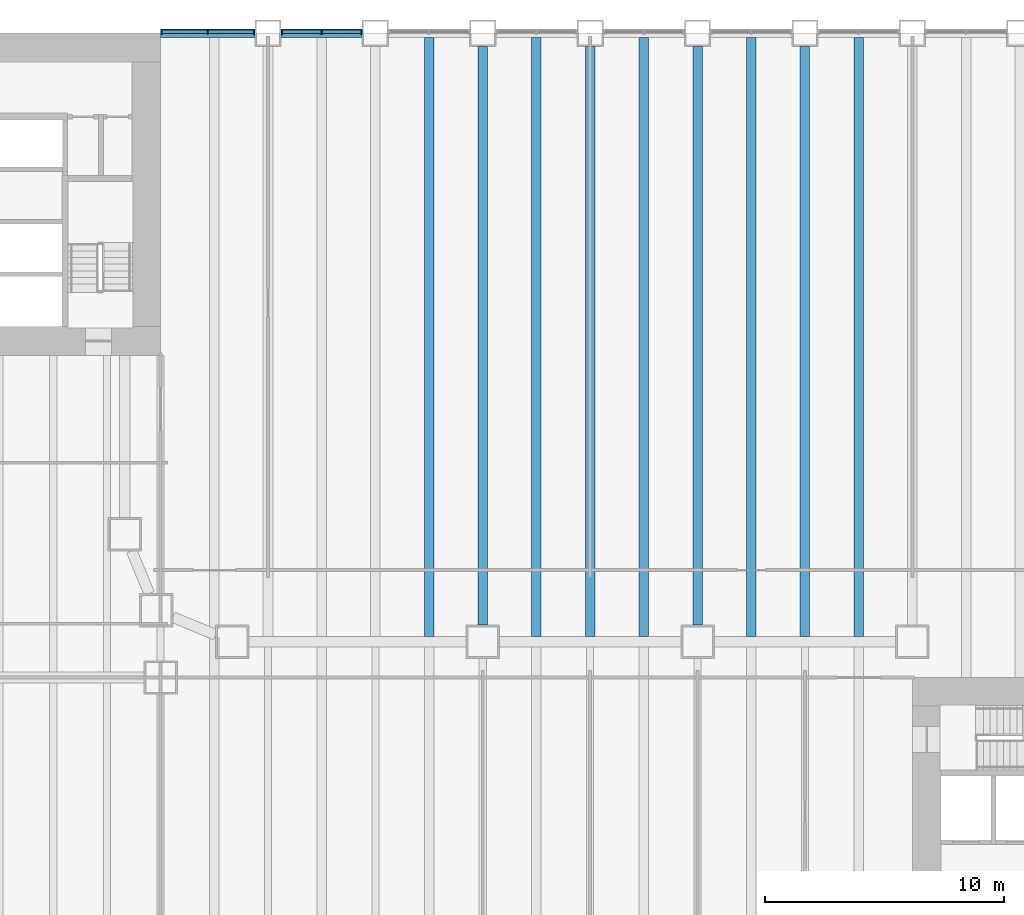
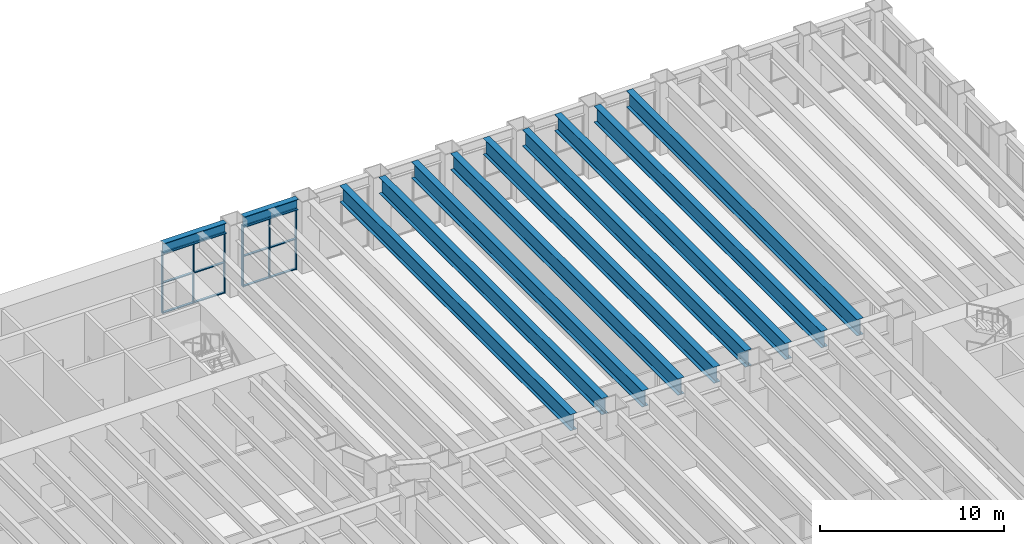
# One storey, part 2 of 19: 18 members, 11 beams, 2 elements without a shape of their own.
"""IFC4 building model written with IfcOpenShell, lengths in metres."""

import ifcopenshell
import ifcopenshell.guid

model = None  # the IFC model being written
_history = None  # IfcOwnerHistory: only IFC2X3 demands one
_inside = {}  # id of a spatial element -> (the spatial element, [elements in it])
_under = {}  # id of a project, library or spatial element -> (it, [spatial elements below it])
_declared = {}  # id of a project -> (the project, [libraries it declares])
_typed = {}  # id of a type object -> (the type object, [elements of that type])
_made_of = {}  # id of a material, layer set ... -> (it, [elements and type objects made of it])


def new_model(schema):
    """Start an empty IFC model of exactly this schema.

    Asked for "IFC4X3", IfcOpenShell would pick the latest addendum, in which some entities
    have other attributes; the version numbers below select the first issue.
    IFC2X3 requires an IfcOwnerHistory on every rooted entity: one is made here for all.
    """
    global model, _history
    if schema == "IFC4X3":
        model = ifcopenshell.file(schema_version=(4, 3, 0, 0))
    else:
        model = ifcopenshell.file(schema=schema)
    _inside.clear()
    _under.clear()
    _declared.clear()
    _typed.clear()
    _made_of.clear()
    _history = None
    if model.schema == "IFC2X3":
        org = make("IfcOrganization", Name="unknown")
        user = make(
            "IfcPersonAndOrganization",
            ThePerson=make("IfcPerson", FamilyName="unknown"),
            TheOrganization=org,
        )
        app = make(
            "IfcApplication",
            ApplicationDeveloper=org,
            Version="unknown",
            ApplicationFullName="unknown",
            ApplicationIdentifier="unknown",
        )
        _history = make(
            "IfcOwnerHistory",
            OwningUser=user,
            OwningApplication=app,
            ChangeAction="ADDED",
            CreationDate=0,
        )
    return model


def make(cls, **values):
    """One entity of the class cls with the attributes given. An attribute that is None is left unset."""
    return model.create_entity(
        cls, **{name: value for name, value in values.items() if value is not None}
    )


def rooted(cls, **values):
    """An entity with a GlobalId (a new one), such as an element, a storey or a relation."""
    return make(cls, GlobalId=ifcopenshell.guid.new(), OwnerHistory=_history, **values)


def si_unit(unit_type, name, prefix=None):
    """IfcSIUnit, for example si_unit("LENGTHUNIT", "METRE", prefix="MILLI")."""
    return make("IfcSIUnit", UnitType=unit_type, Prefix=prefix, Name=name)


def assignment(units):
    """IfcUnitAssignment: the units of a project."""
    return None if units is None else make("IfcUnitAssignment", Units=units)


def point(xyz):
    """IfcCartesianPoint."""
    return None if xyz is None else make("IfcCartesianPoint", Coordinates=xyz)


def direction(xyz):
    """IfcDirection."""
    return None if xyz is None else make("IfcDirection", DirectionRatios=xyz)


def frame(location, z_axis=None, x_axis=None):
    """IfcAxis2Placement3D, a coordinate frame: its origin and axes. An axis left out is left unset."""
    return make(
        "IfcAxis2Placement3D",
        Location=point(location),
        Axis=direction(z_axis),
        RefDirection=direction(x_axis),
    )


def frame_2d(location, x_axis=None):
    """IfcAxis2Placement2D, a coordinate frame in the plane: its origin and x axis."""
    return make(
        "IfcAxis2Placement2D", Location=point(location), RefDirection=direction(x_axis)
    )


def origin():
    """The frame at (0, 0, 0) with its axes left unset."""
    return frame((0.0, 0.0, 0.0))


def origin_2d():
    """The frame at (0, 0) in the plane with its x axis left unset."""
    return frame_2d((0.0, 0.0))


def place(relative_to, where):
    """IfcLocalPlacement: puts the frame where relative to a parent placement (None: the world)."""
    return make(
        "IfcLocalPlacement", PlacementRelTo=relative_to, RelativePlacement=where
    )


def context(
    kind, dimensions, precision=None, world=None, true_north=None, identifier=None
):
    """IfcGeometricRepresentationContext, for example the 3D "Model" context."""
    return make(
        "IfcGeometricRepresentationContext",
        ContextIdentifier=identifier,
        ContextType=kind,
        CoordinateSpaceDimension=dimensions,
        Precision=precision,
        WorldCoordinateSystem=world,
        TrueNorth=true_north,
    )


def subcontext(parent, identifier, kind, view, scale=None):
    """IfcGeometricRepresentationSubContext, for example "Body" below "Model"."""
    return make(
        "IfcGeometricRepresentationSubContext",
        ContextIdentifier=identifier,
        ContextType=kind,
        ParentContext=parent,
        TargetScale=scale,
        TargetView=view,
    )


def project(units=None, contexts=None):
    """IfcProject with its units and contexts."""
    return rooted(
        "IfcProject",
        Name="project",
        RepresentationContexts=contexts,
        UnitsInContext=assignment(units),
    )


def spatial(cls, under=None, at=None, **own):
    """A site, building, storey or space (cls), placed at a placement, below another one or the project."""
    s = rooted(cls, ObjectPlacement=at, **own)
    if under is not None:
        _under.setdefault(under.id(), (under, []))[1].append(s)
    return s


def profile(cls, at=None, kind="AREA", **sizes):
    """A parametric profile (cls). Its sizes go by their IFC names, for example OverallWidth=200.0."""
    return make(cls, ProfileType=kind, Position=at, **sizes)


def rectangle(**sizes):
    """IfcRectangleProfileDef."""
    return profile("IfcRectangleProfileDef", **sizes)


def i_section(**sizes):
    """IfcIShapeProfileDef."""
    return profile("IfcIShapeProfileDef", **sizes)


def extrude(swept, where, along, depth):
    """IfcExtrudedAreaSolid: the profile swept, set in the frame where, extruded along a direction by depth."""
    return make(
        "IfcExtrudedAreaSolid",
        SweptArea=swept,
        Position=where,
        ExtrudedDirection=direction(along),
        Depth=depth,
    )


def shape(context_of_items, identifier, shape_type, items):
    """IfcShapeRepresentation: the items that make up one representation, for example the "Body"."""
    return make(
        "IfcShapeRepresentation",
        ContextOfItems=context_of_items,
        RepresentationIdentifier=identifier,
        RepresentationType=shape_type,
        Items=items,
    )


def material(Name=None, Category=None):
    """IfcMaterial."""
    return make("IfcMaterial", Name=Name, Category=Category)


def material_profile(
    of_material, cross_section, Name=None, Category=None, Priority=None
):
    """IfcMaterialProfile: a cross section and its material."""
    return make(
        "IfcMaterialProfile",
        Name=Name,
        Material=of_material,
        Profile=cross_section,
        Priority=Priority,
        Category=Category,
    )


def profile_set(profiles, Name=None, composite=None):
    """IfcMaterialProfileSet."""
    return make(
        "IfcMaterialProfileSet",
        Name=Name,
        MaterialProfiles=profiles,
        CompositeProfile=composite,
    )


def made_of(thing, what):
    """Note that an element or type object is made of a material, layer set ...; save() writes the relation."""
    if what is not None:
        _made_of.setdefault(what.id(), (what, []))[1].append(thing)
    return thing


def type_object(cls, material=None, **own):
    """A type object (cls), such as IfcWallType, which elements share."""
    return made_of(rooted(cls, **own), material)


def element(
    cls,
    number,
    at=None,
    inside=None,
    cuts=None,
    type_object=None,
    material=None,
    context=None,
    identifier="Body",
    shape_type=None,
    held_by="IfcProductDefinitionShape",
    body=None,
    shapes=None,
    **own,
):
    """One element of the class cls, such as IfcWall. Its Tag is "e" and its number.

    at: its placement. inside: the storey or other place that contains it. cuts: it is an
    opening in that element (IfcRelVoidsElement). A single representation is given by context,
    identifier, shape_type and body (its items); several are given by shapes. held_by: the class
    of the entity that holds the representations. save() writes the other relations.
    """
    e = rooted(cls, Tag="e%d" % number, ObjectPlacement=at, **own)
    if body is not None:
        shapes = [shape(context, identifier, shape_type, body)]
    if shapes is not None:
        e.Representation = make(held_by, Representations=shapes)
    if inside is not None:
        _inside.setdefault(inside.id(), (inside, []))[1].append(e)
    if cuts is not None:
        rooted(
            "IfcRelVoidsElement", RelatingBuildingElement=cuts, RelatedOpeningElement=e
        )
    if type_object is not None:
        _typed.setdefault(type_object.id(), (type_object, []))[1].append(e)
    return made_of(e, material)


def aggregate(whole, parts):
    """IfcRelAggregates: a whole, such as a stair, and the parts it consists of."""
    return rooted("IfcRelAggregates", RelatingObject=whole, RelatedObjects=parts)


def save(model, path):
    """Write the relations noted so far, then the file.

    IfcRelAggregates (storeys below a building ...), IfcRelContainedInSpatialStructure (elements
    in a storey), IfcRelDefinesByType, IfcRelAssociatesMaterial and IfcRelDeclares: one each for
    every whole, place, type object, material and project.
    """
    for whole, parts in _under.values():
        aggregate(whole, parts)
    for where, things in _inside.values():
        rooted(
            "IfcRelContainedInSpatialStructure",
            RelatedElements=things,
            RelatingStructure=where,
        )
    for kind, things in _typed.values():
        rooted("IfcRelDefinesByType", RelatedObjects=things, RelatingType=kind)
    for what, things in _made_of.values():
        rooted("IfcRelAssociatesMaterial", RelatedObjects=things, RelatingMaterial=what)
    for by, libraries in _declared.values():
        rooted("IfcRelDeclares", RelatingContext=by, RelatedDefinitions=libraries)
    model.write(path)


model = new_model("IFC4")

# Units and contexts
model_context = context("Model", 3, precision=1e-05, world=origin(), true_north=direction((0.0, 1.0)))
body_context = subcontext(model_context, "Body", "Model", "MODEL_VIEW")
ifc_project = project(units=[si_unit("LENGTHUNIT", "METRE"), si_unit("AREAUNIT", "SQUARE_METRE"), si_unit("VOLUMEUNIT", "CUBIC_METRE"), si_unit("PLANEANGLEUNIT", "RADIAN"), si_unit("MASSUNIT", "GRAM", prefix="KILO")], contexts=[model_context])

# Site, building, storey
site_placement = place(None, origin())
site = spatial("IfcSite", under=ifc_project, at=site_placement, CompositionType="ELEMENT")
building_placement = place(site_placement, origin())
building = spatial("IfcBuilding", under=site, at=building_placement, Name="Sennacour Bend Tower", CompositionType="ELEMENT")
storey_placement = place(building_placement, frame((0.0, 0.0, 19.0)))
storey = spatial("IfcBuildingStorey", under=building, at=storey_placement, Name="L03", CompositionType="ELEMENT", Elevation=19.0)

# Curtain wall, members
ifc_material_1 = material(Name="Bronze anodised aluminium curtain wall with clear glass", Category="aluminium")
curtain_wall_type = type_object("IfcCurtainWallType", Name="CURTAIN WALL NOTCH", PredefinedType="NOTDEFINED", material=ifc_material_1)
curtain_wall_1_placement = place(storey_placement, origin())
curtain_wall_1 = element("IfcCurtainWall", 1, at=curtain_wall_1_placement, inside=storey, type_object=curtain_wall_type, Name="Podium glass wall L03", PredefinedType="NOTDEFINED")
ifc_material_2 = material(Name="Aluminium 6063-T6", Category="aluminium")
ifc_material_profile_1 = material_profile(ifc_material_2, rectangle(XDim=0.199951171875, YDim=0.06005859375, at=origin_2d()), Name="Aluminium 6063-T6", Category="aluminium")
ifc_profile_set_1 = profile_set([ifc_material_profile_1], Name="Aluminium 6063-T6")
member_type_1 = type_object("IfcMemberType", Name="CW-MULLION-200X60", PredefinedType="MULLION", material=ifc_profile_set_1)
member_1_placement = place(storey_placement, frame((30.919921875, 49.550048828125, 0.0), z_axis=(0.0, 0.0, 1.0), x_axis=(0.0, -1.0, 0.0)))
member_1 = element("IfcMember", 2, at=member_1_placement, type_object=member_type_1, Name="GW2 curtain wall mullion 1", PredefinedType="MULLION", context=body_context, shape_type="SweptSolid", body=[
    extrude(rectangle(XDim=0.199951171875, YDim=0.06005859375, at=origin_2d()), origin(), (0.0, 0.0, 1.0), 4.035888671875),
])
member_2_placement = place(storey_placement, frame((29.25, 49.550048828125, 0.0), z_axis=(0.0, 0.0, 1.0), x_axis=(0.0, -1.0, 0.0)))
member_2 = element("IfcMember", 3, at=member_2_placement, type_object=member_type_1, Name="GW2 curtain wall mullion 2", PredefinedType="MULLION", context=body_context, shape_type="SweptSolid", body=[
    extrude(rectangle(XDim=0.199951171875, YDim=0.06005859375, at=origin_2d()), origin(), (0.0, 0.0, 1.0), 4.035888671875),
])
member_3_placement = place(storey_placement, frame((27.580078125, 49.550048828125, 0.0), z_axis=(0.0, 0.0, 1.0), x_axis=(0.0, -1.0, 0.0)))
member_3 = element("IfcMember", 4, at=member_3_placement, type_object=member_type_1, Name="GW2 curtain wall mullion 3", PredefinedType="MULLION", context=body_context, shape_type="SweptSolid", body=[
    extrude(rectangle(XDim=0.199951171875, YDim=0.06005859375, at=origin_2d()), origin(), (0.0, 0.0, 1.0), 4.035888671875),
])

curtain_wall_2_placement = place(storey_placement, origin())
curtain_wall_2 = element("IfcCurtainWall", 5, at=curtain_wall_2_placement, inside=storey, type_object=curtain_wall_type, Name="Podium glass wall L03", PredefinedType="NOTDEFINED")
member_4_placement = place(storey_placement, frame((26.419921875, 49.550048828125, 0.0), z_axis=(0.0, 0.0, 1.0), x_axis=(0.0, -1.0, 0.0)))
member_4 = element("IfcMember", 6, at=member_4_placement, type_object=member_type_1, Name="GW2 curtain wall mullion 1", PredefinedType="MULLION", context=body_context, shape_type="SweptSolid", body=[
    extrude(rectangle(XDim=0.199951171875, YDim=0.06005859375, at=origin_2d()), origin(), (0.0, 0.0, 1.0), 4.035888671875),
])
member_5_placement = place(storey_placement, frame((24.4755859375, 49.550048828125, 0.0), z_axis=(0.0, 0.0, 1.0), x_axis=(0.0, -1.0, 0.0)))
member_5 = element("IfcMember", 7, at=member_5_placement, type_object=member_type_1, Name="GW2 curtain wall mullion 2", PredefinedType="MULLION", context=body_context, shape_type="SweptSolid", body=[
    extrude(rectangle(XDim=0.199951171875, YDim=0.06005859375, at=origin_2d()), origin(), (0.0, 0.0, 1.0), 4.035888671875),
])
member_6_placement = place(storey_placement, frame((22.531005859375, 49.550048828125, 0.0), z_axis=(0.0, 0.0, 1.0), x_axis=(0.0, -1.0, 0.0)))
member_6 = element("IfcMember", 8, at=member_6_placement, type_object=member_type_1, Name="GW2 curtain wall mullion 3", PredefinedType="MULLION", context=body_context, shape_type="SweptSolid", body=[
    extrude(rectangle(XDim=0.199951171875, YDim=0.06005859375, at=origin_2d()), origin(), (0.0, 0.0, 1.0), 4.035888671875),
])

# Member
ifc_material_profile_2 = material_profile(ifc_material_2, rectangle(XDim=0.14990234375, YDim=0.06005859375, at=origin_2d()), Name="Aluminium 6063-T6", Category="aluminium")
ifc_profile_set_2 = profile_set([ifc_material_profile_2], Name="Aluminium 6063-T6")
member_type_2 = type_object("IfcMemberType", Name="CW-TRANSOM-150X60", PredefinedType="USERDEFINED", material=ifc_profile_set_2)
member_7_placement = place(storey_placement, frame((30.889892578125, 49.550048828125, 0.030029296875), z_axis=(-1.0, 0.0, 0.0), x_axis=(0.0, -1.0, 0.0)))
member_7 = element("IfcMember", 9, at=member_7_placement, type_object=member_type_2, Name="GW2 curtain wall transom 1.1", ObjectType="TRANSOM", PredefinedType="USERDEFINED", context=body_context, shape_type="SweptSolid", body=[
    extrude(rectangle(XDim=0.14990234375, YDim=0.06005859375, at=origin_2d()), origin(), (0.0, 0.0, 1.0), 1.60986328125),
])

member_8_placement = place(storey_placement, frame((30.889892578125, 49.550048828125, 2.01806640625), z_axis=(-1.0, 0.0, 0.0), x_axis=(0.0, -1.0, 0.0)))
member_8 = element("IfcMember", 10, at=member_8_placement, type_object=member_type_2, Name="GW2 curtain wall transom 1.2", ObjectType="TRANSOM", PredefinedType="USERDEFINED", context=body_context, shape_type="SweptSolid", body=[
    extrude(rectangle(XDim=0.14990234375, YDim=0.06005859375, at=origin_2d()), origin(), (0.0, 0.0, 1.0), 1.60986328125),
])

member_9_placement = place(storey_placement, frame((30.889892578125, 49.550048828125, 4.006103515625), z_axis=(-1.0, 0.0, 0.0), x_axis=(0.0, -1.0, 0.0)))
member_9 = element("IfcMember", 11, at=member_9_placement, type_object=member_type_2, Name="GW2 curtain wall transom 1.3", ObjectType="TRANSOM", PredefinedType="USERDEFINED", context=body_context, shape_type="SweptSolid", body=[
    extrude(rectangle(XDim=0.14990234375, YDim=0.06005859375, at=origin_2d()), origin(), (0.0, 0.0, 1.0), 1.60986328125),
])

member_10_placement = place(storey_placement, frame((29.219970703125, 49.550048828125, 0.030029296875), z_axis=(-1.0, 0.0, 0.0), x_axis=(0.0, -1.0, 0.0)))
member_10 = element("IfcMember", 12, at=member_10_placement, type_object=member_type_2, Name="GW2 curtain wall transom 2.1", ObjectType="TRANSOM", PredefinedType="USERDEFINED", context=body_context, shape_type="SweptSolid", body=[
    extrude(rectangle(XDim=0.14990234375, YDim=0.06005859375, at=origin_2d()), origin(), (0.0, 0.0, 1.0), 1.60986328125),
])

member_11_placement = place(storey_placement, frame((29.219970703125, 49.550048828125, 2.01806640625), z_axis=(-1.0, 0.0, 0.0), x_axis=(0.0, -1.0, 0.0)))
member_11 = element("IfcMember", 13, at=member_11_placement, type_object=member_type_2, Name="GW2 curtain wall transom 2.2", ObjectType="TRANSOM", PredefinedType="USERDEFINED", context=body_context, shape_type="SweptSolid", body=[
    extrude(rectangle(XDim=0.14990234375, YDim=0.06005859375, at=origin_2d()), origin(), (0.0, 0.0, 1.0), 1.60986328125),
])

member_12_placement = place(storey_placement, frame((29.219970703125, 49.550048828125, 4.006103515625), z_axis=(-1.0, 0.0, 0.0), x_axis=(0.0, -1.0, 0.0)))
member_12 = element("IfcMember", 14, at=member_12_placement, type_object=member_type_2, Name="GW2 curtain wall transom 2.3", ObjectType="TRANSOM", PredefinedType="USERDEFINED", context=body_context, shape_type="SweptSolid", body=[
    extrude(rectangle(XDim=0.14990234375, YDim=0.06005859375, at=origin_2d()), origin(), (0.0, 0.0, 1.0), 1.60986328125),
])

aggregate(curtain_wall_1, [member_1, member_2, member_3, member_7, member_8, member_9, member_10, member_11, member_12])

member_13_placement = place(storey_placement, frame((26.389892578125, 49.550048828125, 0.030029296875), z_axis=(-1.0, 0.0, 0.0), x_axis=(0.0, -1.0, 0.0)))
member_13 = element("IfcMember", 15, at=member_13_placement, type_object=member_type_2, Name="GW2 curtain wall transom 1.1", ObjectType="TRANSOM", PredefinedType="USERDEFINED", context=body_context, shape_type="SweptSolid", body=[
    extrude(rectangle(XDim=0.14990234375, YDim=0.06005859375, at=origin_2d()), origin(), (0.0, 0.0, 1.0), 1.88427734375),
])

member_14_placement = place(storey_placement, frame((26.389892578125, 49.550048828125, 2.01806640625), z_axis=(-1.0, 0.0, 0.0), x_axis=(0.0, -1.0, 0.0)))
member_14 = element("IfcMember", 16, at=member_14_placement, type_object=member_type_2, Name="GW2 curtain wall transom 1.2", ObjectType="TRANSOM", PredefinedType="USERDEFINED", context=body_context, shape_type="SweptSolid", body=[
    extrude(rectangle(XDim=0.14990234375, YDim=0.06005859375, at=origin_2d()), origin(), (0.0, 0.0, 1.0), 1.88427734375),
])

member_15_placement = place(storey_placement, frame((26.389892578125, 49.550048828125, 4.006103515625), z_axis=(-1.0, 0.0, 0.0), x_axis=(0.0, -1.0, 0.0)))
member_15 = element("IfcMember", 17, at=member_15_placement, type_object=member_type_2, Name="GW2 curtain wall transom 1.3", ObjectType="TRANSOM", PredefinedType="USERDEFINED", context=body_context, shape_type="SweptSolid", body=[
    extrude(rectangle(XDim=0.14990234375, YDim=0.06005859375, at=origin_2d()), origin(), (0.0, 0.0, 1.0), 1.88427734375),
])

member_16_placement = place(storey_placement, frame((24.445556640625, 49.550048828125, 0.030029296875), z_axis=(-1.0, 0.0, 0.0), x_axis=(0.0, -1.0, 0.0)))
member_16 = element("IfcMember", 18, at=member_16_placement, type_object=member_type_2, Name="GW2 curtain wall transom 2.1", ObjectType="TRANSOM", PredefinedType="USERDEFINED", context=body_context, shape_type="SweptSolid", body=[
    extrude(rectangle(XDim=0.14990234375, YDim=0.06005859375, at=origin_2d()), origin(), (0.0, 0.0, 1.0), 1.884521484375),
])

member_17_placement = place(storey_placement, frame((24.445556640625, 49.550048828125, 2.01806640625), z_axis=(-1.0, 0.0, 0.0), x_axis=(0.0, -1.0, 0.0)))
member_17 = element("IfcMember", 19, at=member_17_placement, type_object=member_type_2, Name="GW2 curtain wall transom 2.2", ObjectType="TRANSOM", PredefinedType="USERDEFINED", context=body_context, shape_type="SweptSolid", body=[
    extrude(rectangle(XDim=0.14990234375, YDim=0.06005859375, at=origin_2d()), origin(), (0.0, 0.0, 1.0), 1.884521484375),
])

member_18_placement = place(storey_placement, frame((24.445556640625, 49.550048828125, 4.006103515625), z_axis=(-1.0, 0.0, 0.0), x_axis=(0.0, -1.0, 0.0)))
member_18 = element("IfcMember", 20, at=member_18_placement, type_object=member_type_2, Name="GW2 curtain wall transom 2.3", ObjectType="TRANSOM", PredefinedType="USERDEFINED", context=body_context, shape_type="SweptSolid", body=[
    extrude(rectangle(XDim=0.14990234375, YDim=0.06005859375, at=origin_2d()), origin(), (0.0, 0.0, 1.0), 1.884521484375),
])

aggregate(curtain_wall_2, [member_4, member_5, member_6, member_13, member_14, member_15, member_16, member_17, member_18])

# Beams
ifc_material_3 = material(Name="Steel ASTM A992 Grade 50", Category="steel")
ifc_material_profile_3 = material_profile(ifc_material_3, i_section(OverallWidth=0.40087890625, OverallDepth=1.090087890625, WebThickness=0.01806640625, FlangeThickness=0.031005859375, FilletRadius=0.02001953125, at=origin_2d()), Name="Steel ASTM A992 Grade 50", Category="steel")
ifc_profile_set_3 = profile_set([ifc_material_profile_3], Name="Steel ASTM A992 Grade 50")
beam_type_1 = type_object("IfcBeamType", Name="Notch floor beam W1100X343", PredefinedType="BEAM", material=ifc_profile_set_3)
beam_1_placement = place(storey_placement, frame((33.75, 24.22509765625, 4.205078125), z_axis=(0.0, 1.0, 0.0), x_axis=(-1.0, 0.0, 0.0)))
element("IfcBeam", 21, at=beam_1_placement, inside=storey, type_object=beam_type_1, Name="Floor beam FBM4 L04-031", PredefinedType="BEAM", context=body_context, shape_type="SweptSolid", body=[
    extrude(i_section(OverallWidth=0.40087890625, OverallDepth=1.090087890625, WebThickness=0.01806640625, FlangeThickness=0.031005859375, FilletRadius=0.02001953125, at=origin_2d()), origin(), (0.0, 0.0, 1.0), 25.096923828125),
])
beam_2_placement = place(storey_placement, frame((36.0, 24.699951171875, 4.205078125), z_axis=(0.0, 1.0, 0.0), x_axis=(-1.0, 0.0, 0.0)))
element("IfcBeam", 22, at=beam_2_placement, inside=storey, type_object=beam_type_1, Name="Floor beam FBM4 L04-033", PredefinedType="BEAM", context=body_context, shape_type="SweptSolid", body=[
    extrude(i_section(OverallWidth=0.40087890625, OverallDepth=1.090087890625, WebThickness=0.01806640625, FlangeThickness=0.031005859375, FilletRadius=0.02001953125, at=origin_2d()), origin(), (0.0, 0.0, 1.0), 24.25),
])
beam_3_placement = place(storey_placement, frame((38.25, 24.22509765625, 4.205078125), z_axis=(0.0, 1.0, 0.0), x_axis=(-1.0, 0.0, 0.0)))
element("IfcBeam", 23, at=beam_3_placement, inside=storey, type_object=beam_type_1, Name="Floor beam FBM4 L04-035", PredefinedType="BEAM", context=body_context, shape_type="SweptSolid", body=[
    extrude(i_section(OverallWidth=0.40087890625, OverallDepth=1.090087890625, WebThickness=0.01806640625, FlangeThickness=0.031005859375, FilletRadius=0.02001953125, at=origin_2d()), origin(), (0.0, 0.0, 1.0), 25.096923828125),
])
beam_4_placement = place(storey_placement, frame((40.5, 24.22509765625, 4.205078125), z_axis=(0.0, 1.0, 0.0), x_axis=(-1.0, 0.0, 0.0)))
element("IfcBeam", 24, at=beam_4_placement, inside=storey, type_object=beam_type_1, Name="Floor beam FBM4 L04-037", PredefinedType="BEAM", context=body_context, shape_type="SweptSolid", body=[
    extrude(i_section(OverallWidth=0.40087890625, OverallDepth=1.090087890625, WebThickness=0.01806640625, FlangeThickness=0.031005859375, FilletRadius=0.02001953125, at=origin_2d()), origin(), (0.0, 0.0, 1.0), 24.724853515625),
])
beam_5_placement = place(storey_placement, frame((42.75, 24.22509765625, 4.205078125), z_axis=(0.0, 1.0, 0.0), x_axis=(-1.0, 0.0, 0.0)))
element("IfcBeam", 25, at=beam_5_placement, inside=storey, type_object=beam_type_1, Name="Floor beam FBM4 L04-039", PredefinedType="BEAM", context=body_context, shape_type="SweptSolid", body=[
    extrude(i_section(OverallWidth=0.40087890625, OverallDepth=1.090087890625, WebThickness=0.01806640625, FlangeThickness=0.031005859375, FilletRadius=0.02001953125, at=origin_2d()), origin(), (0.0, 0.0, 1.0), 25.096923828125),
])
beam_6_placement = place(storey_placement, frame((45.0, 24.699951171875, 4.205078125), z_axis=(0.0, 1.0, 0.0), x_axis=(-1.0, 0.0, 0.0)))
element("IfcBeam", 26, at=beam_6_placement, inside=storey, type_object=beam_type_1, Name="Floor beam FBM4 L04-041", PredefinedType="BEAM", context=body_context, shape_type="SweptSolid", body=[
    extrude(i_section(OverallWidth=0.40087890625, OverallDepth=1.090087890625, WebThickness=0.01806640625, FlangeThickness=0.031005859375, FilletRadius=0.02001953125, at=origin_2d()), origin(), (0.0, 0.0, 1.0), 24.25),
])
beam_7_placement = place(storey_placement, frame((47.25, 24.22509765625, 4.205078125), z_axis=(0.0, 1.0, 0.0), x_axis=(-1.0, 0.0, 0.0)))
element("IfcBeam", 27, at=beam_7_placement, inside=storey, type_object=beam_type_1, Name="Floor beam FBM4 L04-043", PredefinedType="BEAM", context=body_context, shape_type="SweptSolid", body=[
    extrude(i_section(OverallWidth=0.40087890625, OverallDepth=1.090087890625, WebThickness=0.01806640625, FlangeThickness=0.031005859375, FilletRadius=0.02001953125, at=origin_2d()), origin(), (0.0, 0.0, 1.0), 25.096923828125),
])
beam_8_placement = place(storey_placement, frame((49.5, 24.22509765625, 4.205078125), z_axis=(0.0, 1.0, 0.0), x_axis=(-1.0, 0.0, 0.0)))
element("IfcBeam", 28, at=beam_8_placement, inside=storey, type_object=beam_type_1, Name="Floor beam FBM4 L04-045", PredefinedType="BEAM", context=body_context, shape_type="SweptSolid", body=[
    extrude(i_section(OverallWidth=0.40087890625, OverallDepth=1.090087890625, WebThickness=0.01806640625, FlangeThickness=0.031005859375, FilletRadius=0.02001953125, at=origin_2d()), origin(), (0.0, 0.0, 1.0), 24.724853515625),
])
beam_9_placement = place(storey_placement, frame((51.75, 24.22509765625, 4.205078125), z_axis=(0.0, 1.0, 0.0), x_axis=(-1.0, 0.0, 0.0)))
element("IfcBeam", 29, at=beam_9_placement, inside=storey, type_object=beam_type_1, Name="Floor beam FBM4 L04-047", PredefinedType="BEAM", context=body_context, shape_type="SweptSolid", body=[
    extrude(i_section(OverallWidth=0.40087890625, OverallDepth=1.090087890625, WebThickness=0.01806640625, FlangeThickness=0.031005859375, FilletRadius=0.02001953125, at=origin_2d()), origin(), (0.0, 0.0, 1.0), 25.096923828125),
])
ifc_material_profile_4 = material_profile(ifc_material_3, i_section(OverallWidth=0.35595703125, OverallDepth=0.714111328125, WebThickness=0.01904296875, FlangeThickness=0.033935546875, FilletRadius=0.02001953125, at=origin_2d()), Name="Steel ASTM A992 Grade 50", Category="steel")
ifc_profile_set_4 = profile_set([ifc_material_profile_4], Name="Steel ASTM A992 Grade 50")
beam_type_2 = type_object("IfcBeamType", Name="Spandrel beam W690X289", PredefinedType="SPANDREL", material=ifc_profile_set_4)
beam_10_placement = place(storey_placement, frame((30.949951171875, 49.5, 4.39306640625), z_axis=(-1.0, 0.0, 0.0), x_axis=(0.0, -1.0, 0.0)))
element("IfcBeam", 30, at=beam_10_placement, inside=storey, type_object=beam_type_2, Name="Spandrel beam SP1 L04-014", PredefinedType="SPANDREL", context=body_context, shape_type="SweptSolid", body=[
    extrude(i_section(OverallWidth=0.35595703125, OverallDepth=0.714111328125, WebThickness=0.01904296875, FlangeThickness=0.033935546875, FilletRadius=0.02001953125, at=origin_2d()), origin(), (0.0, 0.0, 1.0), 3.39990234375),
])
beam_11_placement = place(storey_placement, frame((26.449951171875, 49.5, 4.39306640625), z_axis=(-1.0, 0.0, 0.0), x_axis=(0.0, -1.0, 0.0)))
element("IfcBeam", 31, at=beam_11_placement, inside=storey, type_object=beam_type_2, Name="Spandrel beam SP1 L04-015", PredefinedType="SPANDREL", context=body_context, shape_type="SweptSolid", body=[
    extrude(i_section(OverallWidth=0.35595703125, OverallDepth=0.714111328125, WebThickness=0.01904296875, FlangeThickness=0.033935546875, FilletRadius=0.02001953125, at=origin_2d()), origin(), (0.0, 0.0, 1.0), 3.949951171875),
])

save(model, "model.ifc")
